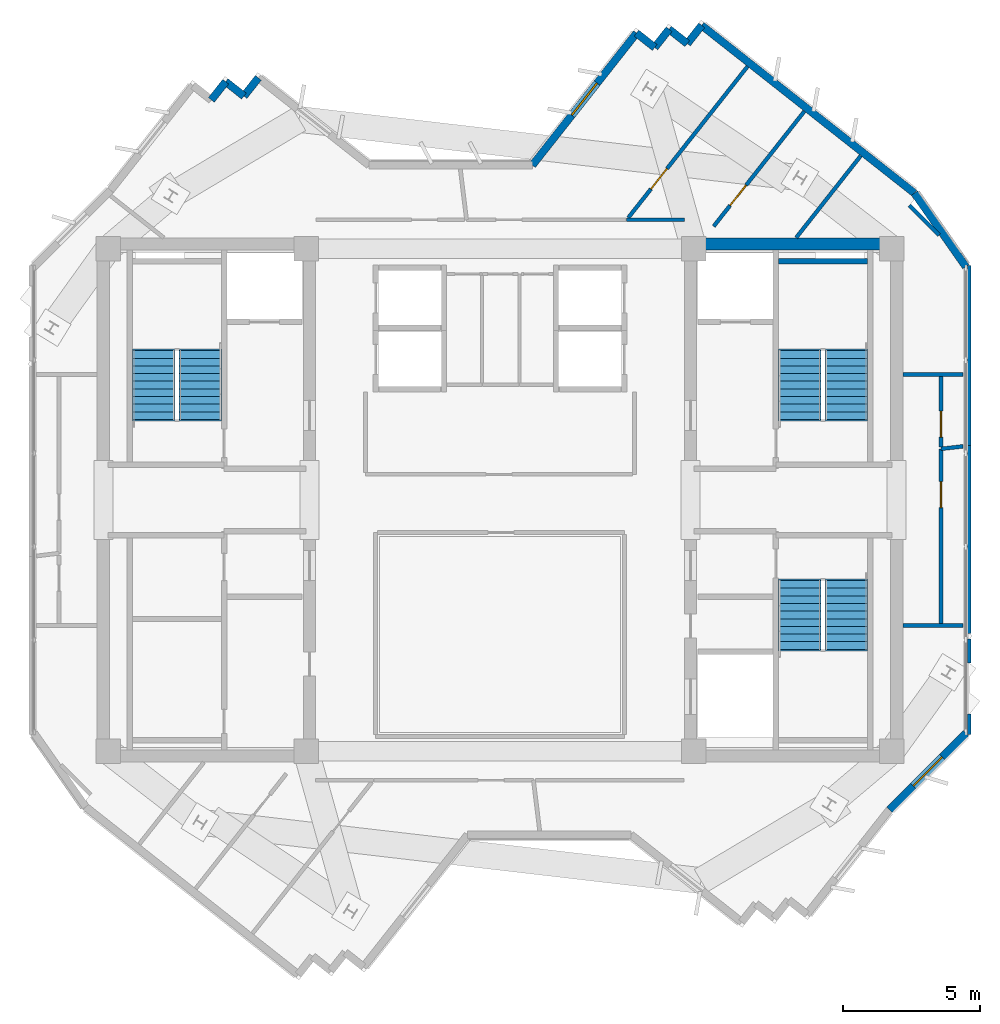
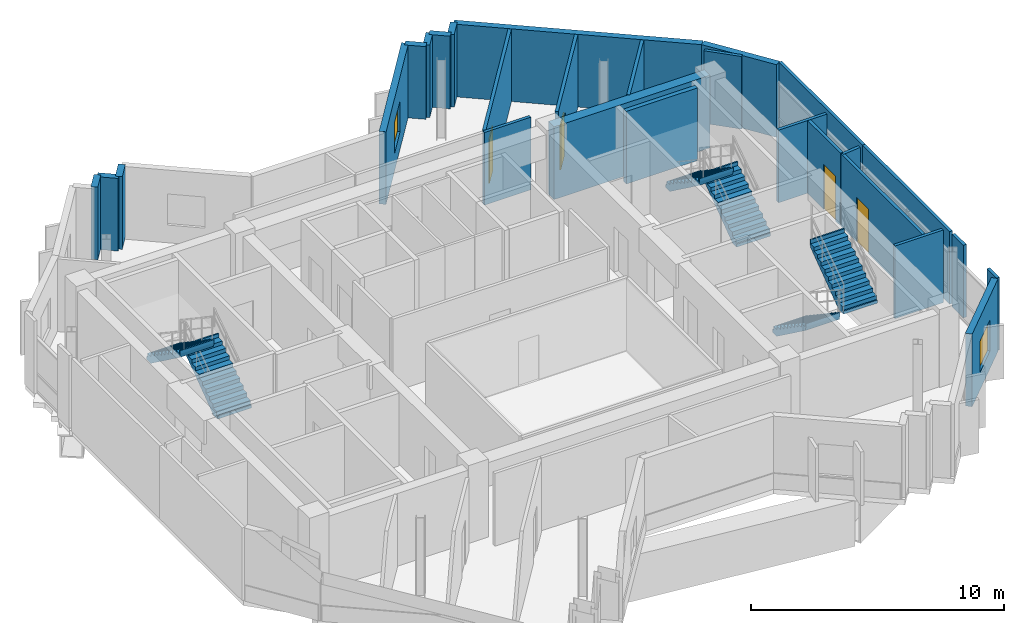
# One storey, part 8 of 10: 27 walls, 6 stair flights, 4 doors, 2 windows, 6 openings, 3 elements without a shape of their own.
"""IFC4 building model written with IfcOpenShell, lengths in metres."""

import ifcopenshell
import ifcopenshell.guid

model = None  # the IFC model being written
_history = None  # IfcOwnerHistory: only IFC2X3 demands one
_inside = {}  # id of a spatial element -> (the spatial element, [elements in it])
_under = {}  # id of a project, library or spatial element -> (it, [spatial elements below it])
_declared = {}  # id of a project -> (the project, [libraries it declares])
_typed = {}  # id of a type object -> (the type object, [elements of that type])
_made_of = {}  # id of a material, layer set ... -> (it, [elements and type objects made of it])


def new_model(schema):
    """Start an empty IFC model of exactly this schema.

    Asked for "IFC4X3", IfcOpenShell would pick the latest addendum, in which some entities
    have other attributes; the version numbers below select the first issue.
    IFC2X3 requires an IfcOwnerHistory on every rooted entity: one is made here for all.
    """
    global model, _history
    if schema == "IFC4X3":
        model = ifcopenshell.file(schema_version=(4, 3, 0, 0))
    else:
        model = ifcopenshell.file(schema=schema)
    _inside.clear()
    _under.clear()
    _declared.clear()
    _typed.clear()
    _made_of.clear()
    _history = None
    if model.schema == "IFC2X3":
        org = make("IfcOrganization", Name="unknown")
        user = make(
            "IfcPersonAndOrganization",
            ThePerson=make("IfcPerson", FamilyName="unknown"),
            TheOrganization=org,
        )
        app = make(
            "IfcApplication",
            ApplicationDeveloper=org,
            Version="unknown",
            ApplicationFullName="unknown",
            ApplicationIdentifier="unknown",
        )
        _history = make(
            "IfcOwnerHistory",
            OwningUser=user,
            OwningApplication=app,
            ChangeAction="ADDED",
            CreationDate=0,
        )
    return model


def make(cls, **values):
    """One entity of the class cls with the attributes given. An attribute that is None is left unset."""
    return model.create_entity(
        cls, **{name: value for name, value in values.items() if value is not None}
    )


def rooted(cls, **values):
    """An entity with a GlobalId (a new one), such as an element, a storey or a relation."""
    return make(cls, GlobalId=ifcopenshell.guid.new(), OwnerHistory=_history, **values)


def si_unit(unit_type, name, prefix=None):
    """IfcSIUnit, for example si_unit("LENGTHUNIT", "METRE", prefix="MILLI")."""
    return make("IfcSIUnit", UnitType=unit_type, Prefix=prefix, Name=name)


def assignment(units):
    """IfcUnitAssignment: the units of a project."""
    return None if units is None else make("IfcUnitAssignment", Units=units)


def point(xyz):
    """IfcCartesianPoint."""
    return None if xyz is None else make("IfcCartesianPoint", Coordinates=xyz)


def direction(xyz):
    """IfcDirection."""
    return None if xyz is None else make("IfcDirection", DirectionRatios=xyz)


def frame(location, z_axis=None, x_axis=None):
    """IfcAxis2Placement3D, a coordinate frame: its origin and axes. An axis left out is left unset."""
    return make(
        "IfcAxis2Placement3D",
        Location=point(location),
        Axis=direction(z_axis),
        RefDirection=direction(x_axis),
    )


def frame_2d(location, x_axis=None):
    """IfcAxis2Placement2D, a coordinate frame in the plane: its origin and x axis."""
    return make(
        "IfcAxis2Placement2D", Location=point(location), RefDirection=direction(x_axis)
    )


def origin():
    """The frame at (0, 0, 0) with its axes left unset."""
    return frame((0.0, 0.0, 0.0))


def place(relative_to, where):
    """IfcLocalPlacement: puts the frame where relative to a parent placement (None: the world)."""
    return make(
        "IfcLocalPlacement", PlacementRelTo=relative_to, RelativePlacement=where
    )


def context(
    kind, dimensions, precision=None, world=None, true_north=None, identifier=None
):
    """IfcGeometricRepresentationContext, for example the 3D "Model" context."""
    return make(
        "IfcGeometricRepresentationContext",
        ContextIdentifier=identifier,
        ContextType=kind,
        CoordinateSpaceDimension=dimensions,
        Precision=precision,
        WorldCoordinateSystem=world,
        TrueNorth=true_north,
    )


def subcontext(parent, identifier, kind, view, scale=None):
    """IfcGeometricRepresentationSubContext, for example "Body" below "Model"."""
    return make(
        "IfcGeometricRepresentationSubContext",
        ContextIdentifier=identifier,
        ContextType=kind,
        ParentContext=parent,
        TargetScale=scale,
        TargetView=view,
    )


def project(units=None, contexts=None):
    """IfcProject with its units and contexts."""
    return rooted(
        "IfcProject",
        Name="project",
        RepresentationContexts=contexts,
        UnitsInContext=assignment(units),
    )


def spatial(cls, under=None, at=None, **own):
    """A site, building, storey or space (cls), placed at a placement, below another one or the project."""
    s = rooted(cls, ObjectPlacement=at, **own)
    if under is not None:
        _under.setdefault(under.id(), (under, []))[1].append(s)
    return s


def polyline(points):
    """IfcPolyline through the points."""
    return make("IfcPolyline", Points=[point(p) for p in points])


def profile(cls, at=None, kind="AREA", **sizes):
    """A parametric profile (cls). Its sizes go by their IFC names, for example OverallWidth=200.0."""
    return make(cls, ProfileType=kind, Position=at, **sizes)


def rectangle(**sizes):
    """IfcRectangleProfileDef."""
    return profile("IfcRectangleProfileDef", **sizes)


def outline(outer, holes=None, kind="AREA"):
    """IfcArbitraryClosedProfileDef: a profile drawn as a closed curve; with holes, ...WithVoids."""
    if holes is None:
        return make("IfcArbitraryClosedProfileDef", ProfileType=kind, OuterCurve=outer)
    return make(
        "IfcArbitraryProfileDefWithVoids",
        ProfileType=kind,
        OuterCurve=outer,
        InnerCurves=holes,
    )


def extrude(swept, where, along, depth):
    """IfcExtrudedAreaSolid: the profile swept, set in the frame where, extruded along a direction by depth."""
    return make(
        "IfcExtrudedAreaSolid",
        SweptArea=swept,
        Position=where,
        ExtrudedDirection=direction(along),
        Depth=depth,
    )


def shape(context_of_items, identifier, shape_type, items):
    """IfcShapeRepresentation: the items that make up one representation, for example the "Body"."""
    return make(
        "IfcShapeRepresentation",
        ContextOfItems=context_of_items,
        RepresentationIdentifier=identifier,
        RepresentationType=shape_type,
        Items=items,
    )


def source(mapping_origin, context_of_items, identifier, shape_type, items):
    """IfcRepresentationMap: a shape defined once, which mapped items show again and again."""
    return make(
        "IfcRepresentationMap",
        MappingOrigin=mapping_origin,
        MappedRepresentation=shape(context_of_items, identifier, shape_type, items),
    )


def transform(
    local_origin,
    x_axis=None,
    y_axis=None,
    z_axis=None,
    scale=None,
    scale2=None,
    scale3=None,
    uniform=True,
):
    """IfcCartesianTransformationOperator3D, or its non-uniform kind. x_axis, y_axis, z_axis: its Axis1, 2, 3."""
    if uniform:
        return make(
            "IfcCartesianTransformationOperator3D",
            Axis1=direction(x_axis),
            Axis2=direction(y_axis),
            LocalOrigin=point(local_origin),
            Scale=scale,
            Axis3=direction(z_axis),
        )
    return make(
        "IfcCartesianTransformationOperator3DnonUniform",
        Axis1=direction(x_axis),
        Axis2=direction(y_axis),
        LocalOrigin=point(local_origin),
        Scale=scale,
        Axis3=direction(z_axis),
        Scale2=scale2,
        Scale3=scale3,
    )


def mapped(mapping_source, mapping_target):
    """IfcMappedItem: shows the shape of a source again, moved by a transform."""
    return make(
        "IfcMappedItem", MappingSource=mapping_source, MappingTarget=mapping_target
    )


def material(Name=None, Category=None):
    """IfcMaterial."""
    return make("IfcMaterial", Name=Name, Category=Category)


def layer(
    of_material, thickness, ventilated=None, Name=None, Category=None, Priority=None
):
    """IfcMaterialLayer: one layer of a wall or slab, of a material (None: an air gap)."""
    return make(
        "IfcMaterialLayer",
        Material=of_material,
        LayerThickness=thickness,
        IsVentilated=ventilated,
        Name=Name,
        Category=Category,
        Priority=Priority,
    )


def layer_set(layers, Name=None):
    """IfcMaterialLayerSet."""
    return make("IfcMaterialLayerSet", MaterialLayers=layers, LayerSetName=Name)


def made_of(thing, what):
    """Note that an element or type object is made of a material, layer set ...; save() writes the relation."""
    if what is not None:
        _made_of.setdefault(what.id(), (what, []))[1].append(thing)
    return thing


def type_object(cls, material=None, **own):
    """A type object (cls), such as IfcWallType, which elements share."""
    return made_of(rooted(cls, **own), material)


def element(
    cls,
    number,
    at=None,
    inside=None,
    cuts=None,
    type_object=None,
    material=None,
    context=None,
    identifier="Body",
    shape_type=None,
    held_by="IfcProductDefinitionShape",
    body=None,
    shapes=None,
    **own,
):
    """One element of the class cls, such as IfcWall. Its Tag is "e" and its number.

    at: its placement. inside: the storey or other place that contains it. cuts: it is an
    opening in that element (IfcRelVoidsElement). A single representation is given by context,
    identifier, shape_type and body (its items); several are given by shapes. held_by: the class
    of the entity that holds the representations. save() writes the other relations.
    """
    e = rooted(cls, Tag="e%d" % number, ObjectPlacement=at, **own)
    if body is not None:
        shapes = [shape(context, identifier, shape_type, body)]
    if shapes is not None:
        e.Representation = make(held_by, Representations=shapes)
    if inside is not None:
        _inside.setdefault(inside.id(), (inside, []))[1].append(e)
    if cuts is not None:
        rooted(
            "IfcRelVoidsElement", RelatingBuildingElement=cuts, RelatedOpeningElement=e
        )
    if type_object is not None:
        _typed.setdefault(type_object.id(), (type_object, []))[1].append(e)
    return made_of(e, material)


def fill(opening, filler):
    """IfcRelFillsElement: the door or window that sits in an opening."""
    return rooted(
        "IfcRelFillsElement",
        RelatingOpeningElement=opening,
        RelatedBuildingElement=filler,
    )


def aggregate(whole, parts):
    """IfcRelAggregates: a whole, such as a stair, and the parts it consists of."""
    return rooted("IfcRelAggregates", RelatingObject=whole, RelatedObjects=parts)


def save(model, path):
    """Write the relations noted so far, then the file.

    IfcRelAggregates (storeys below a building ...), IfcRelContainedInSpatialStructure (elements
    in a storey), IfcRelDefinesByType, IfcRelAssociatesMaterial and IfcRelDeclares: one each for
    every whole, place, type object, material and project.
    """
    for whole, parts in _under.values():
        aggregate(whole, parts)
    for where, things in _inside.values():
        rooted(
            "IfcRelContainedInSpatialStructure",
            RelatedElements=things,
            RelatingStructure=where,
        )
    for kind, things in _typed.values():
        rooted("IfcRelDefinesByType", RelatedObjects=things, RelatingType=kind)
    for what, things in _made_of.values():
        rooted("IfcRelAssociatesMaterial", RelatedObjects=things, RelatingMaterial=what)
    for by, libraries in _declared.values():
        rooted("IfcRelDeclares", RelatingContext=by, RelatedDefinitions=libraries)
    model.write(path)


model = new_model("IFC4")

# Units and contexts
model_context = context("Model", 3, precision=1e-05, world=origin(), true_north=direction((0.0, 1.0)))
body_context = subcontext(model_context, "Body", "Model", "MODEL_VIEW")
ifc_project = project(units=[si_unit("LENGTHUNIT", "METRE"), si_unit("AREAUNIT", "SQUARE_METRE"), si_unit("VOLUMEUNIT", "CUBIC_METRE"), si_unit("PLANEANGLEUNIT", "RADIAN"), si_unit("MASSUNIT", "GRAM", prefix="KILO")], contexts=[model_context])

# Site, building, storey
site_placement = place(None, origin())
site = spatial("IfcSite", under=ifc_project, at=site_placement, CompositionType="ELEMENT")
building_placement = place(site_placement, origin())
building = spatial("IfcBuilding", under=site, at=building_placement, Name="Zahravan Cultural Tower", CompositionType="ELEMENT")
storey_placement = place(building_placement, frame((0.0, 0.0, 319.800048828125)))
storey = spatial("IfcBuildingStorey", under=building, at=storey_placement, Name="L77", CompositionType="ELEMENT", Elevation=319.800048828125)

# Wall, opening, window
ifc_material_1 = material(Name="Precast concrete C40/50", Category="concrete")
ifc_layer_1 = layer(ifc_material_1, 0.280029296875)
ifc_layer_set_1 = layer_set([ifc_layer_1], Name="Precast concrete C40/50")
wall_type_1 = type_object("IfcWallType", Name="EW-TC-280", PredefinedType="SOLIDWALL", material=ifc_layer_set_1)
wall_1_placement = place(storey_placement, frame((37.184326171875, 39.260009765625, 0.0), z_axis=(0.0, 0.0, 1.0), x_axis=(0.619100474058, 0.78531178714, 0.0)))
wall_1 = element("IfcWall", 1, at=wall_1_placement, inside=storey, type_object=wall_type_1, Name="L77 Exterior Masonry Frame Wall 09", PredefinedType="SOLIDWALL", context=body_context, shape_type="SweptSolid", body=[
    extrude(rectangle(XDim=6.158935546875, YDim=0.280029296875, at=frame_2d((3.07958984375, 0.0))), origin(), (0.0, 0.0, 1.0), 3.5),
])
opening_1_placement = place(wall_1_placement, frame((2.3291015625, 0.0, 0.85009765625)))
opening_1 = element("IfcOpeningElement", 2, at=opening_1_placement, cuts=wall_1, Name="Opening WN-03", PredefinedType="OPENING", context=body_context, shape_type="SweptSolid", body=[
    extrude(rectangle(XDim=1.5, YDim=1.5, at=frame_2d((0.75, 0.75))), frame((0.0, 0.14990234375, 0.0), z_axis=(0.0, -1.0, 0.0), x_axis=(1.0, 0.0, 0.0)), (0.0, 0.0, 1.0), 0.300048828125),
])
ifc_material_2 = material(Name="Low-E solar-control double glazing", Category="glass")
window_type = type_object("IfcWindowType", Name="WN-REC-1500X1500", PartitioningType="SINGLE_PANEL", PredefinedType="WINDOW", material=ifc_material_2)
shared_shape_1 = source(origin(), body_context, "Body", "SweptSolid", [
    extrude(rectangle(XDim=1.5, YDim=1.5, at=frame_2d((0.75, 0.75))), frame((0.0, 0.030029296875, 0.0), z_axis=(0.0, -1.0, 0.0), x_axis=(1.0, 0.0, 0.0)), (0.0, 0.0, 1.0), 0.06005859375),
])
window_1_placement = place(opening_1_placement, origin())
window_1 = element("IfcWindow", 3, at=window_1_placement, inside=storey, type_object=window_type, Name="L77 Recessed Solar Window 04", OverallHeight=1.5, OverallWidth=1.5, PartitioningType="SINGLE_PANEL", PredefinedType="WINDOW", context=body_context, shape_type="MappedRepresentation", body=[
    mapped(shared_shape_1, transform((0.0, 0.0, 0.0), x_axis=(1.0, 0.0, 0.0), y_axis=(0.0, 1.0, 0.0), z_axis=(0.0, 0.0, 1.0), scale=1.0)),
])
fill(opening_1, window_1)

wall_2_placement = place(storey_placement, frame((53.06005859375, 18.4580078125, 0.0), z_axis=(0.0, 0.0, 1.0), x_axis=(-0.707106781187, -0.707106781187, 0.0)))
wall_2 = element("IfcWall", 4, at=wall_2_placement, inside=storey, type_object=wall_type_1, Name="L77 Exterior Masonry Frame Wall 16", PredefinedType="SOLIDWALL", context=body_context, shape_type="SweptSolid", body=[
    extrude(rectangle(XDim=3.96337890625, YDim=0.280029296875, at=frame_2d((1.981689453125, 0.0))), origin(), (0.0, 0.0, 1.0), 3.5),
])
opening_2_placement = place(wall_2_placement, frame((1.23193359375, 0.0, 0.85009765625)))
opening_2 = element("IfcOpeningElement", 5, at=opening_2_placement, cuts=wall_2, Name="Opening WN-03", PredefinedType="OPENING", context=body_context, shape_type="SweptSolid", body=[
    extrude(rectangle(XDim=1.5, YDim=1.5, at=frame_2d((0.75, 0.75))), frame((0.0, 0.14990234375, 0.0), z_axis=(0.0, -1.0, 0.0), x_axis=(1.0, 0.0, 0.0)), (0.0, 0.0, 1.0), 0.300048828125),
])
window_2_placement = place(opening_2_placement, origin())
window_2 = element("IfcWindow", 6, at=window_2_placement, inside=storey, type_object=window_type, Name="L77 Recessed Solar Window 05", OverallHeight=1.5, OverallWidth=1.5, PartitioningType="SINGLE_PANEL", PredefinedType="WINDOW", context=body_context, shape_type="MappedRepresentation", body=[
    mapped(shared_shape_1, transform((0.0, 0.0, 0.0), x_axis=(1.0, 0.0, 0.0), y_axis=(0.0, 1.0, 0.0), z_axis=(0.0, 0.0, 1.0), scale=1.0)),
])
fill(opening_2, window_2)

# Wall, opening, door
ifc_material_3 = material(Name="Gypsum plasterboard partition")
ifc_layer_2 = layer(ifc_material_3, 0.139892578125)
ifc_layer_set_2 = layer_set([ifc_layer_2], Name="Gypsum plasterboard partition")
wall_type_2 = type_object("IfcWallType", Name="W-PART-140", PredefinedType="PARTITIONING", material=ifc_layer_set_2)
wall_3_placement = place(storey_placement, frame((43.82275390625, 37.02001953125, 0.0), z_axis=(0.0, 0.0, 1.0), x_axis=(0.619105408422, 0.785307897109, 0.0)))
wall_3 = element("IfcWall", 7, at=wall_3_placement, inside=storey, type_object=wall_type_2, Name="L77 Interior Wall 050", PredefinedType="PARTITIONING", context=body_context, shape_type="SweptSolid", body=[
    extrude(rectangle(XDim=5.363037109375, YDim=0.139892578125, at=frame_2d((2.681640625, 0.0))), origin(), (0.0, 0.0, 1.0), 3.5),
])
opening_3_placement = place(wall_3_placement, frame((0.970947265625, 0.0, 0.0)))
opening_3 = element("IfcOpeningElement", 8, at=opening_3_placement, cuts=wall_3, Name="Opening D-L77-26", PredefinedType="OPENING", context=body_context, shape_type="SweptSolid", body=[
    extrude(rectangle(XDim=0.949951171875, YDim=2.14990234375, at=frame_2d((0.47509765625, 1.074951171875))), frame((0.0, 0.079833984375, 0.0), z_axis=(0.0, -1.0, 0.0), x_axis=(1.0, 0.0, 0.0)), (0.0, 0.0, 1.0), 0.159912109375),
])
ifc_material_4 = material(Name="Anodised bronze-aluminium mullion", Category="aluminium")
door_type = type_object("IfcDoorType", Name="DR-ROOM-950", OperationType="NOTDEFINED", PredefinedType="DOOR", material=ifc_material_4)
shared_shape_2 = source(origin(), body_context, "Body", "SweptSolid", [
    extrude(rectangle(XDim=0.949951171875, YDim=2.14990234375, at=frame_2d((0.47509765625, 1.074951171875))), frame((0.0, 0.02490234375, 0.0), z_axis=(0.0, -1.0, 0.0), x_axis=(1.0, 0.0, 0.0)), (0.0, 0.0, 1.0), 0.050048828125),
])
door_1_placement = place(opening_3_placement, origin())
door_1 = element("IfcDoor", 9, at=door_1_placement, inside=storey, type_object=door_type, Name="L77 Door D-L77-26", OperationType="SINGLE_SWING_RIGHT", OverallHeight=2.14990234375, OverallWidth=0.949951171875, PredefinedType="DOOR", context=body_context, shape_type="MappedRepresentation", body=[
    mapped(shared_shape_2, transform((0.0, 0.0, 0.0), x_axis=(1.0, 0.0, 0.0), y_axis=(0.0, 1.0, 0.0), z_axis=(0.0, 0.0, 1.0), scale=1.0)),
])
fill(opening_3, door_1)

wall_4_placement = place(storey_placement, frame((40.69677734375, 37.335205078125, 0.0), z_axis=(0.0, 0.0, 1.0), x_axis=(0.619105259882, 0.785308014213, 0.0)))
wall_4 = element("IfcWall", 10, at=wall_4_placement, inside=storey, type_object=wall_type_2, Name="L77 Interior Wall 054", PredefinedType="PARTITIONING", context=body_context, shape_type="SweptSolid", body=[
    extrude(rectangle(XDim=7.05078125, YDim=0.139892578125, at=frame_2d((3.525390625, 0.0))), origin(), (0.0, 0.0, 1.0), 3.5),
])
opening_4_placement = place(wall_4_placement, frame((1.34228515625, 0.0, 0.0)))
opening_4 = element("IfcOpeningElement", 11, at=opening_4_placement, cuts=wall_4, Name="Opening D-L77-24", PredefinedType="OPENING", context=body_context, shape_type="SweptSolid", body=[
    extrude(rectangle(XDim=0.949951171875, YDim=2.14990234375, at=frame_2d((0.47509765625, 1.074951171875))), frame((0.0, 0.079833984375, 0.0), z_axis=(0.0, -1.0, 0.0), x_axis=(1.0, 0.0, 0.0)), (0.0, 0.0, 1.0), 0.159912109375),
])
door_2_placement = place(opening_4_placement, origin())
door_2 = element("IfcDoor", 12, at=door_2_placement, inside=storey, type_object=door_type, Name="L77 Door D-L77-24", OperationType="SINGLE_SWING_RIGHT", OverallHeight=2.14990234375, OverallWidth=0.949951171875, PredefinedType="DOOR", context=body_context, shape_type="MappedRepresentation", body=[
    mapped(shared_shape_2, transform((0.0, 0.0, 0.0), x_axis=(1.0, 0.0, 0.0), y_axis=(0.0, 1.0, 0.0), z_axis=(0.0, 0.0, 1.0), scale=1.0)),
])
fill(opening_4, door_2)

wall_5_placement = place(storey_placement, frame((52.14990234375, 28.948486328125, 0.0), z_axis=(0.0, 0.0, 1.0), x_axis=(-0.000379182834, 0.99999992811, 0.0)))
wall_5 = element("IfcWall", 13, at=wall_5_placement, inside=storey, type_object=wall_type_2, Name="L77 Interior Wall 072", PredefinedType="PARTITIONING", context=body_context, shape_type="SweptSolid", body=[
    extrude(rectangle(XDim=2.575439453125, YDim=0.139892578125, at=frame_2d((1.28759765625, 0.0))), origin(), (0.0, 0.0, 1.0), 3.5),
])
opening_5_placement = place(wall_5_placement, frame((0.357666015625, 0.0, 0.0)))
opening_5 = element("IfcOpeningElement", 14, at=opening_5_placement, cuts=wall_5, Name="Opening D-L77-17", PredefinedType="OPENING", context=body_context, shape_type="SweptSolid", body=[
    extrude(rectangle(XDim=0.949951171875, YDim=2.14990234375, at=frame_2d((0.47509765625, 1.074951171875))), frame((0.0, 0.079833984375, 0.0), z_axis=(0.0, -1.0, 0.0), x_axis=(1.0, 0.0, 0.0)), (0.0, 0.0, 1.0), 0.159912109375),
])
door_3_placement = place(opening_5_placement, origin())
door_3 = element("IfcDoor", 15, at=door_3_placement, inside=storey, type_object=door_type, Name="L77 Door D-L77-17", OperationType="SINGLE_SWING_LEFT", OverallHeight=2.14990234375, OverallWidth=0.949951171875, PredefinedType="DOOR", context=body_context, shape_type="MappedRepresentation", body=[
    mapped(shared_shape_2, transform((0.0, 0.0, 0.0), x_axis=(1.0, 0.0, 0.0), y_axis=(0.0, 1.0, 0.0), z_axis=(0.0, 0.0, 1.0), scale=1.0)),
])
fill(opening_5, door_3)

wall_6_placement = place(storey_placement, frame((52.1474609375, 22.477294921875, 0.0), z_axis=(0.0, 0.0, 1.0), x_axis=(0.0003817085, 0.999999927149, 0.0)))
wall_6 = element("IfcWall", 16, at=wall_6_placement, inside=storey, type_object=wall_type_2, Name="L77 Interior Wall 083", PredefinedType="PARTITIONING", context=body_context, shape_type="SweptSolid", body=[
    extrude(rectangle(XDim=6.39599609375, YDim=0.139892578125, at=frame_2d((3.197998046875, 0.0))), origin(), (0.0, 0.0, 1.0), 3.5),
])
opening_6_placement = place(wall_6_placement, frame((4.247802734375, 0.0, 0.0)))
opening_6 = element("IfcOpeningElement", 17, at=opening_6_placement, cuts=wall_6, Name="Opening D-L77-23", PredefinedType="OPENING", context=body_context, shape_type="SweptSolid", body=[
    extrude(rectangle(XDim=0.949951171875, YDim=2.14990234375, at=frame_2d((0.47509765625, 1.074951171875))), frame((0.0, 0.079833984375, 0.0), z_axis=(0.0, -1.0, 0.0), x_axis=(1.0, 0.0, 0.0)), (0.0, 0.0, 1.0), 0.159912109375),
])
door_4_placement = place(opening_6_placement, origin())
door_4 = element("IfcDoor", 18, at=door_4_placement, inside=storey, type_object=door_type, Name="L77 Door D-L77-23", OperationType="SINGLE_SWING_LEFT", OverallHeight=2.14990234375, OverallWidth=0.949951171875, PredefinedType="DOOR", context=body_context, shape_type="MappedRepresentation", body=[
    mapped(shared_shape_2, transform((0.0, 0.0, 0.0), x_axis=(1.0, 0.0, 0.0), y_axis=(0.0, 1.0, 0.0), z_axis=(0.0, 0.0, 1.0), scale=1.0)),
])
fill(opening_6, door_4)

# Walls
ifc_material_5 = material(Name="Concrete C50/60", Category="concrete")
ifc_layer_3 = layer(ifc_material_5, 0.449951171875)
ifc_layer_set_3 = layer_set([ifc_layer_3], Name="Concrete C50/60")
wall_type_3 = type_object("IfcWallType", Name="CW-SHEAR-450-C50", PredefinedType="SHEAR", material=ifc_layer_set_3)
shared_shape_3 = source(origin(), body_context, "Body", "SweptSolid", [
    extrude(rectangle(XDim=7.10009765625, YDim=0.449951171875, at=frame_2d((3.550048828125, 0.0))), origin(), (0.0, 0.0, 1.0), 3.5),
])
wall_7_placement = place(storey_placement, frame((43.199951171875, 36.375, 0.0), z_axis=(0.0, 0.0, 1.0), x_axis=(1.0, 0.0, 0.0)))
element("IfcWall", 19, at=wall_7_placement, inside=storey, type_object=wall_type_3, Name="L77 Core Shear Wall CW-E-N-L77", PredefinedType="SHEAR", context=body_context, shape_type="MappedRepresentation", body=[
    mapped(shared_shape_3, transform((0.0, 0.0, 0.0), x_axis=(1.0, 0.0, 0.0), y_axis=(0.0, 1.0, 0.0), z_axis=(0.0, 0.0, 1.0), scale=1.0)),
])
shared_shape_4 = source(origin(), body_context, "Body", "SweptSolid", [
    extrude(rectangle(XDim=0.85009765625, YDim=0.280029296875, at=frame_2d((0.425048828125, 0.0))), origin(), (0.0, 0.0, 1.0), 3.5),
])
for number, where, z_axis, x_axis, name in (
    (20, (25.4296875, 41.64892578125, 0.0), (0.0, 0.0, 1.0), (0.619215838066, 0.785220826193, 0.0), "L77 Exterior Masonry Frame Wall 04"),
    (21, (25.9560546875, 42.31640625, 0.0), (0.0, 0.0, 1.0), (0.785220826193, -0.619215838066, 0.0), "L77 Exterior Masonry Frame Wall 05"),
    (22, (40.997314453125, 44.0966796875, 0.0), (0.0, 0.0, 1.0), (0.785220826193, -0.619215838066, 0.0), "L77 Exterior Masonry Frame Wall 10"),
    (23, (42.8583984375, 43.711669921875, 0.0), (0.0, 0.0, 1.0), (0.619215838066, 0.785220826193, 0.0), "L77 Exterior Masonry Frame Wall 13"),
):
    element("IfcWall", number, at=place(storey_placement, frame(where, z_axis=z_axis, x_axis=x_axis)), inside=storey, type_object=wall_type_1, Name=name, PredefinedType="SOLIDWALL", context=body_context, shape_type="MappedRepresentation", body=[
        mapped(shared_shape_4, transform((0.0, 0.0, 0.0), x_axis=(1.0, 0.0, 0.0), y_axis=(0.0, 1.0, 0.0), z_axis=(0.0, 0.0, 1.0), scale=1.0)),
    ])
shared_shape_5 = source(origin(), body_context, "Body", "SweptSolid", [
    extrude(rectangle(XDim=0.849853515625, YDim=0.280029296875, at=frame_2d((0.4248046875, 0.0))), origin(), (0.0, 0.0, 1.0), 3.5),
])
for number, where, z_axis, x_axis, name in (
    (24, (41.664794921875, 43.5703125, 0.0), (0.0, 0.0, 1.0), (0.619038707801, 0.785360476625, 0.0), "L77 Exterior Masonry Frame Wall 11"),
    (25, (42.19091796875, 44.23779296875, 0.0), (0.0, 0.0, 1.0), (0.785360476625, -0.619038707801, 0.0), "L77 Exterior Masonry Frame Wall 12"),
):
    element("IfcWall", number, at=place(storey_placement, frame(where, z_axis=z_axis, x_axis=x_axis)), inside=storey, type_object=wall_type_1, Name=name, PredefinedType="SOLIDWALL", context=body_context, shape_type="MappedRepresentation", body=[
        mapped(shared_shape_5, transform((0.0, 0.0, 0.0), x_axis=(1.0, 0.0, 0.0), y_axis=(0.0, 1.0, 0.0), z_axis=(0.0, 0.0, 1.0), scale=1.0)),
    ])
shared_shape_6 = source(origin(), body_context, "Body", "SweptSolid", [
    extrude(rectangle(XDim=9.919921875, YDim=0.280029296875, at=frame_2d((4.9599609375, 0.0))), origin(), (0.0, 0.0, 1.0), 3.5),
])
wall_8_placement = place(storey_placement, frame((43.384765625, 44.379150390625, 0.0), z_axis=(0.0, 0.0, 1.0), x_axis=(0.785317257435, -0.619093535077, 0.0)))
element("IfcWall", 26, at=wall_8_placement, inside=storey, type_object=wall_type_1, Name="L77 Exterior Masonry Frame Wall 14", PredefinedType="SOLIDWALL", context=body_context, shape_type="MappedRepresentation", body=[
    mapped(shared_shape_6, transform((0.0, 0.0, 0.0), x_axis=(1.0, 0.0, 0.0), y_axis=(0.0, 1.0, 0.0), z_axis=(0.0, 0.0, 1.0), scale=1.0)),
])
shared_shape_7 = source(origin(), body_context, "Body", "SweptSolid", [
    extrude(rectangle(XDim=0.850341796875, YDim=0.280029296875, at=frame_2d((0.42529296875, 0.0))), origin(), (0.0, 0.0, 1.0), 3.5),
])
wall_9_placement = place(storey_placement, frame((26.62353515625, 41.7900390625, 0.0), z_axis=(0.0, 0.0, 1.0), x_axis=(0.619076214196, 0.785330911793, 0.0)))
element("IfcWall", 27, at=wall_9_placement, inside=storey, type_object=wall_type_1, Name="L77 Exterior Masonry Frame Wall 06", PredefinedType="SOLIDWALL", context=body_context, shape_type="MappedRepresentation", body=[
    mapped(shared_shape_7, transform((0.0, 0.0, 0.0), x_axis=(1.0, 0.0, 0.0), y_axis=(0.0, 1.0, 0.0), z_axis=(0.0, 0.0, 1.0), scale=1.0)),
])
shared_shape_8 = source(origin(), body_context, "Body", "SweptSolid", [
    extrude(rectangle(XDim=3.28955078125, YDim=0.280029296875, at=frame_2d((1.644775390625, 0.0))), origin(), (0.0, 0.0, 1.0), 3.5),
])
wall_10_placement = place(storey_placement, frame((51.175048828125, 38.23779296875, 0.0), z_axis=(0.0, 0.0, 1.0), x_axis=(0.573043854491, -0.819524704222, 0.0)))
element("IfcWall", 28, at=wall_10_placement, inside=storey, type_object=wall_type_1, Name="L77 Exterior Masonry Frame Wall 15", PredefinedType="SOLIDWALL", context=body_context, shape_type="MappedRepresentation", body=[
    mapped(shared_shape_8, transform((0.0, 0.0, 0.0), x_axis=(1.0, 0.0, 0.0), y_axis=(0.0, 1.0, 0.0), z_axis=(0.0, 0.0, 1.0), scale=1.0)),
])
ifc_material_6 = material(Name="Concrete C45/55", Category="concrete")
ifc_layer_4 = layer(ifc_material_6, 0.199951171875)
ifc_layer_set_4 = layer_set([ifc_layer_4], Name="Concrete C45/55")
wall_type_4 = type_object("IfcWallType", Name="W-SHAFT-200", PredefinedType="SOLIDWALL", material=ifc_layer_set_4)
shared_shape_9 = source(origin(), body_context, "Body", "SweptSolid", [
    extrude(rectangle(XDim=3.25, YDim=0.199951171875, at=frame_2d((1.625, 0.0))), origin(), (0.0, 0.0, 1.0), 3.5),
])
wall_11_placement = place(storey_placement, frame((46.199951171875, 35.75, 0.0), z_axis=(0.0, 0.0, 1.0), x_axis=(1.0, 0.0, 0.0)))
element("IfcWall", 29, at=wall_11_placement, inside=storey, type_object=wall_type_4, Name="L77 Interior Wall 018", PredefinedType="SOLIDWALL", context=body_context, shape_type="MappedRepresentation", body=[
    mapped(shared_shape_9, transform((0.0, 0.0, 0.0), x_axis=(1.0, 0.0, 0.0), y_axis=(0.0, 1.0, 0.0), z_axis=(0.0, 0.0, 1.0), scale=1.0)),
])
shared_shape_10 = source(origin(), body_context, "Body", "SweptSolid", [
    extrude(rectangle(XDim=2.205078125, YDim=0.139892578125, at=frame_2d((1.1025390625, 0.0))), origin(), (0.0, 0.0, 1.0), 3.5),
])
for number, where, z_axis, x_axis, name in (
    (30, (52.9599609375, 31.598388671875, 0.0), (0.0, 0.0, 1.0), (-0.99999969967, 0.000775021911, 0.0), "L77 Interior Wall 068"),
    (31, (50.7548828125, 22.400146484375, 0.0), (0.0, 0.0, 1.0), (0.999998620938, 0.001660759446, 0.0), "L77 Interior Wall 082"),
):
    element("IfcWall", number, at=place(storey_placement, frame(where, z_axis=z_axis, x_axis=x_axis)), inside=storey, type_object=wall_type_2, Name=name, PredefinedType="PARTITIONING", context=body_context, shape_type="MappedRepresentation", body=[
        mapped(shared_shape_10, transform((0.0, 0.0, 0.0), x_axis=(1.0, 0.0, 0.0), y_axis=(0.0, 1.0, 0.0), z_axis=(0.0, 0.0, 1.0), scale=1.0)),
    ])
shared_shape_11 = source(origin(), body_context, "Body", "SweptSolid", [
    extrude(rectangle(XDim=3.818359375, YDim=0.139892578125, at=frame_2d((1.9091796875, 0.0))), origin(), (0.0, 0.0, 1.0), 3.5),
])
wall_12_placement = place(storey_placement, frame((49.20849609375, 39.603515625, 0.0), z_axis=(0.0, 0.0, 1.0), x_axis=(-0.619119655452, -0.78529666511, 0.0)))
element("IfcWall", 32, at=wall_12_placement, inside=storey, type_object=wall_type_2, Name="L77 Interior Wall 049", PredefinedType="PARTITIONING", context=body_context, shape_type="MappedRepresentation", body=[
    mapped(shared_shape_11, transform((0.0, 0.0, 0.0), x_axis=(1.0, 0.0, 0.0), y_axis=(0.0, 1.0, 0.0), z_axis=(0.0, 0.0, 1.0), scale=1.0)),
])
shared_shape_12 = source(origin(), body_context, "Body", "SweptSolid", [
    extrude(rectangle(XDim=2.10888671875, YDim=0.139892578125, at=frame_2d((1.054443359375, 0.0))), origin(), (0.0, 0.0, 1.0), 3.5),
])
wall_13_placement = place(storey_placement, frame((42.74658203125, 37.2587890625, 0.0), z_axis=(0.0, 0.0, 1.0), x_axis=(-0.999999832474, 0.000578837597, 0.0)))
element("IfcWall", 33, at=wall_13_placement, inside=storey, type_object=wall_type_2, Name="L77 Interior Wall 053", PredefinedType="PARTITIONING", context=body_context, shape_type="MappedRepresentation", body=[
    mapped(shared_shape_12, transform((0.0, 0.0, 0.0), x_axis=(1.0, 0.0, 0.0), y_axis=(0.0, 1.0, 0.0), z_axis=(0.0, 0.0, 1.0), scale=1.0)),
])
shared_shape_13 = source(origin(), body_context, "Body", "SweptSolid", [
    extrude(rectangle(XDim=0.882080078125, YDim=0.139892578125, at=frame_2d((0.44091796875, 0.0))), origin(), (0.0, 0.0, 1.0), 3.5),
])
wall_14_placement = place(storey_placement, frame((53.180419921875, 21.9052734375, 0.0), z_axis=(0.0, 0.0, 1.0), x_axis=(-0.000553556516, -0.999999846788, 0.0)))
element("IfcWall", 34, at=wall_14_placement, inside=storey, type_object=wall_type_2, Name="L77 Interior Wall 085", PredefinedType="PARTITIONING", context=body_context, shape_type="MappedRepresentation", body=[
    mapped(shared_shape_13, transform((0.0, 0.0, 0.0), x_axis=(1.0, 0.0, 0.0), y_axis=(0.0, 1.0, 0.0), z_axis=(0.0, 0.0, 1.0), scale=1.0)),
])
shared_shape_14 = source(origin(), body_context, "Body", "SweptSolid", [
    extrude(rectangle(XDim=0.76171875, YDim=0.139892578125, at=frame_2d((0.380859375, 0.0))), origin(), (0.0, 0.0, 1.0), 3.5),
])
wall_15_placement = place(storey_placement, frame((53.18310546875, 19.169921875, 0.0), z_axis=(0.0, 0.0, 1.0), x_axis=(-0.004166630498, -0.999991319557, 0.0)))
element("IfcWall", 35, at=wall_15_placement, inside=storey, type_object=wall_type_2, Name="L77 Interior Wall 086", PredefinedType="PARTITIONING", context=body_context, shape_type="MappedRepresentation", body=[
    mapped(shared_shape_14, transform((0.0, 0.0, 0.0), x_axis=(1.0, 0.0, 0.0), y_axis=(0.0, 1.0, 0.0), z_axis=(0.0, 0.0, 1.0), scale=1.0)),
])
shared_shape_15 = source(origin(), body_context, "Body", "SweptSolid", [
    extrude(rectangle(XDim=1.538330078125, YDim=0.139892578125, at=frame_2d((0.76904296875, 0.0))), origin(), (0.0, 0.0, 1.0), 3.5),
])
wall_16_placement = place(storey_placement, frame((50.9912109375, 37.78271484375, 0.0), z_axis=(0.0, 0.0, 1.0), x_axis=(0.706709909315, -0.707503430434, 0.0)))
element("IfcWall", 36, at=wall_16_placement, inside=storey, type_object=wall_type_2, Name="L77 Interior Wall 069", PredefinedType="PARTITIONING", context=body_context, shape_type="MappedRepresentation", body=[
    mapped(shared_shape_15, transform((0.0, 0.0, 0.0), x_axis=(1.0, 0.0, 0.0), y_axis=(0.0, 1.0, 0.0), z_axis=(0.0, 0.0, 1.0), scale=1.0)),
])
shared_shape_16 = source(origin(), body_context, "Body", "SweptSolid", [
    extrude(rectangle(XDim=6.601806640625, YDim=0.139892578125, at=frame_2d((3.30078125, 0.0))), origin(), (0.0, 0.0, 1.0), 3.5),
])
wall_17_placement = place(storey_placement, frame((53.179931640625, 35.591796875, 0.0), z_axis=(0.0, 0.0, 1.0), x_axis=(0.0, -1.0, 0.0)))
element("IfcWall", 37, at=wall_17_placement, inside=storey, type_object=wall_type_2, Name="L77 Interior Wall 070", PredefinedType="PARTITIONING", context=body_context, shape_type="MappedRepresentation", body=[
    mapped(shared_shape_16, transform((0.0, 0.0, 0.0), x_axis=(1.0, 0.0, 0.0), y_axis=(0.0, 1.0, 0.0), z_axis=(0.0, 0.0, 1.0), scale=1.0)),
])
shared_shape_17 = source(origin(), body_context, "Body", "SweptSolid", [
    extrude(rectangle(XDim=0.810302734375, YDim=0.139892578125, at=frame_2d((0.4052734375, 0.0))), origin(), (0.0, 0.0, 1.0), 3.5),
])
wall_18_placement = place(storey_placement, frame((52.955078125, 28.964599609375, 0.0), z_axis=(0.0, 0.0, 1.0), x_axis=(-0.99359757088, -0.112977285955, 0.0)))
element("IfcWall", 38, at=wall_18_placement, inside=storey, type_object=wall_type_2, Name="L77 Interior Wall 071", PredefinedType="PARTITIONING", context=body_context, shape_type="MappedRepresentation", body=[
    mapped(shared_shape_17, transform((0.0, 0.0, 0.0), x_axis=(1.0, 0.0, 0.0), y_axis=(0.0, 1.0, 0.0), z_axis=(0.0, 0.0, 1.0), scale=1.0)),
])
shared_shape_18 = source(origin(), body_context, "Body", "SweptSolid", [
    extrude(rectangle(XDim=6.88134765625, YDim=0.139892578125, at=frame_2d((3.440673828125, 0.0))), origin(), (0.0, 0.0, 1.0), 3.5),
])
wall_19_placement = place(storey_placement, frame((53.179931640625, 28.989990234375, 0.0), z_axis=(0.0, 0.0, 1.0), x_axis=(0.0, -1.0, 0.0)))
element("IfcWall", 39, at=wall_19_placement, inside=storey, type_object=wall_type_2, Name="L77 Interior Wall 084", PredefinedType="PARTITIONING", context=body_context, shape_type="MappedRepresentation", body=[
    mapped(shared_shape_18, transform((0.0, 0.0, 0.0), x_axis=(1.0, 0.0, 0.0), y_axis=(0.0, 1.0, 0.0), z_axis=(0.0, 0.0, 1.0), scale=1.0)),
])

# Stair, stair flights
stair_type = type_object("IfcStairType", Name="STR-DL-1550-375", PredefinedType="HALF_TURN_STAIR", material=ifc_material_6)
stair_1_placement = place(storey_placement, origin())
stair_1 = element("IfcStair", 40, at=stair_1_placement, inside=storey, type_object=stair_type, Name="L77 West Core North Exit Stair ST-W1", PredefinedType="HALF_TURN_STAIR")
stair_flight_type = type_object("IfcStairFlightType", Name="FLG-DL-1550-375", PredefinedType="STRAIGHT", material=ifc_material_6)
stair_flight_1_placement = place(storey_placement, frame((25.02490234375, 29.949951171875, 0.0), z_axis=(0.0, 0.0, 1.0), x_axis=(0.0, 1.0, 0.0)))
stair_flight_1 = element("IfcStairFlight", 41, at=stair_flight_1_placement, type_object=stair_flight_type, Name="ST-W1 flight 1", NumberOfRisers=10, NumberOfTreads=9, PredefinedType="STRAIGHT", RiserHeight=0.1875, TreadLength=0.28, context=body_context, shape_type="SweptSolid", body=[
    extrude(outline(polyline([(-0.06494140625, -0.139892578125), (-0.06494140625, 0.0), (0.0, 0.0), (0.0, 0.1875), (0.280029296875, 0.1875), (0.280029296875, 0.375), (0.56005859375, 0.375), (0.56005859375, 0.5625), (0.840087890625, 0.5625), (0.840087890625, 0.75), (1.1201171875, 0.75), (1.1201171875, 0.9375), (1.39990234375, 0.9375), (1.39990234375, 1.125), (1.679931640625, 1.125), (1.679931640625, 1.3125), (1.9599609375, 1.3125), (1.9599609375, 1.5), (2.239990234375, 1.5), (2.239990234375, 1.6875), (2.52001953125, 1.6875), (2.52001953125, 1.875), (2.5849609375, 1.875), (2.5849609375, 1.72509765625), (2.52001953125, 1.507080078125), (0.26953125, -0.139892578125), (-0.06494140625, -0.139892578125)])), frame((0.0, 0.77490234375, 0.0), z_axis=(0.0, -1.0, 0.0), x_axis=(1.0, 0.0, 0.0)), (0.0, 0.0, 1.0), 1.550048828125),
])
stair_flight_2_placement = place(storey_placement, frame((23.324951171875, 32.469970703125, 1.875), z_axis=(0.0, 0.0, 1.0), x_axis=(0.0, -1.0, 0.0)))
stair_flight_2 = element("IfcStairFlight", 42, at=stair_flight_2_placement, type_object=stair_flight_type, Name="ST-W1 flight 2", NumberOfRisers=10, NumberOfTreads=9, PredefinedType="STRAIGHT", RiserHeight=0.1875, TreadLength=0.28, context=body_context, shape_type="SweptSolid", body=[
    extrude(outline(polyline([(-0.06494140625, -0.139892578125), (-0.06494140625, 0.0), (0.0, 0.0), (0.0, 0.1875), (0.280029296875, 0.1875), (0.280029296875, 0.375), (0.56005859375, 0.375), (0.56005859375, 0.5625), (0.840087890625, 0.5625), (0.840087890625, 0.75), (1.1201171875, 0.75), (1.1201171875, 0.9375), (1.39990234375, 0.9375), (1.39990234375, 1.125), (1.679931640625, 1.125), (1.679931640625, 1.3125), (1.9599609375, 1.3125), (1.9599609375, 1.5), (2.239990234375, 1.5), (2.239990234375, 1.6875), (2.52001953125, 1.6875), (2.52001953125, 1.875), (2.5849609375, 1.875), (2.5849609375, 1.72509765625), (2.52001953125, 1.507080078125), (0.26953125, -0.139892578125), (-0.06494140625, -0.139892578125)])), frame((0.0, 0.77490234375, 0.0), z_axis=(0.0, -1.0, 0.0), x_axis=(1.0, 0.0, 0.0)), (0.0, 0.0, 1.0), 1.550048828125),
])
aggregate(stair_1, [stair_flight_1, stair_flight_2])

stair_2_placement = place(storey_placement, origin())
stair_2 = element("IfcStair", 43, at=stair_2_placement, inside=storey, type_object=stair_type, Name="L77 East Core North Exit Stair ST-E1", PredefinedType="HALF_TURN_STAIR")
stair_flight_3_placement = place(storey_placement, frame((48.675048828125, 29.949951171875, 0.0), z_axis=(0.0, 0.0, 1.0), x_axis=(0.0, 1.0, 0.0)))
stair_flight_3 = element("IfcStairFlight", 44, at=stair_flight_3_placement, type_object=stair_flight_type, Name="ST-E1 flight 1", NumberOfRisers=10, NumberOfTreads=9, PredefinedType="STRAIGHT", RiserHeight=0.1875, TreadLength=0.28, context=body_context, shape_type="SweptSolid", body=[
    extrude(outline(polyline([(-0.06494140625, -0.139892578125), (-0.06494140625, 0.0), (0.0, 0.0), (0.0, 0.1875), (0.280029296875, 0.1875), (0.280029296875, 0.375), (0.56005859375, 0.375), (0.56005859375, 0.5625), (0.840087890625, 0.5625), (0.840087890625, 0.75), (1.1201171875, 0.75), (1.1201171875, 0.9375), (1.39990234375, 0.9375), (1.39990234375, 1.125), (1.679931640625, 1.125), (1.679931640625, 1.3125), (1.9599609375, 1.3125), (1.9599609375, 1.5), (2.239990234375, 1.5), (2.239990234375, 1.6875), (2.52001953125, 1.6875), (2.52001953125, 1.875), (2.5849609375, 1.875), (2.5849609375, 1.72509765625), (2.52001953125, 1.507080078125), (0.26953125, -0.139892578125), (-0.06494140625, -0.139892578125)])), frame((0.0, 0.77490234375, 0.0), z_axis=(0.0, -1.0, 0.0), x_axis=(1.0, 0.0, 0.0)), (0.0, 0.0, 1.0), 1.550048828125),
])
stair_flight_4_placement = place(storey_placement, frame((46.97509765625, 32.469970703125, 1.875), z_axis=(0.0, 0.0, 1.0), x_axis=(0.0, -1.0, 0.0)))
stair_flight_4 = element("IfcStairFlight", 45, at=stair_flight_4_placement, type_object=stair_flight_type, Name="ST-E1 flight 2", NumberOfRisers=10, NumberOfTreads=9, PredefinedType="STRAIGHT", RiserHeight=0.1875, TreadLength=0.28, context=body_context, shape_type="SweptSolid", body=[
    extrude(outline(polyline([(-0.06494140625, -0.139892578125), (-0.06494140625, 0.0), (0.0, 0.0), (0.0, 0.1875), (0.280029296875, 0.1875), (0.280029296875, 0.375), (0.56005859375, 0.375), (0.56005859375, 0.5625), (0.840087890625, 0.5625), (0.840087890625, 0.75), (1.1201171875, 0.75), (1.1201171875, 0.9375), (1.39990234375, 0.9375), (1.39990234375, 1.125), (1.679931640625, 1.125), (1.679931640625, 1.3125), (1.9599609375, 1.3125), (1.9599609375, 1.5), (2.239990234375, 1.5), (2.239990234375, 1.6875), (2.52001953125, 1.6875), (2.52001953125, 1.875), (2.5849609375, 1.875), (2.5849609375, 1.72509765625), (2.52001953125, 1.507080078125), (0.26953125, -0.139892578125), (-0.06494140625, -0.139892578125)])), frame((0.0, 0.77490234375, 0.0), z_axis=(0.0, -1.0, 0.0), x_axis=(1.0, 0.0, 0.0)), (0.0, 0.0, 1.0), 1.550048828125),
])
aggregate(stair_2, [stair_flight_3, stair_flight_4])

stair_3_placement = place(storey_placement, origin())
stair_3 = element("IfcStair", 46, at=stair_3_placement, inside=storey, type_object=stair_type, Name="L77 East Core South Exit Stair ST-E2", PredefinedType="HALF_TURN_STAIR")
stair_flight_5_placement = place(storey_placement, frame((46.97509765625, 24.050048828125, 0.0), z_axis=(0.0, 0.0, 1.0), x_axis=(0.0, -1.0, 0.0)))
stair_flight_5 = element("IfcStairFlight", 47, at=stair_flight_5_placement, type_object=stair_flight_type, Name="ST-E2 flight 1", NumberOfRisers=10, NumberOfTreads=9, PredefinedType="STRAIGHT", RiserHeight=0.1875, TreadLength=0.28, context=body_context, shape_type="SweptSolid", body=[
    extrude(outline(polyline([(-0.06494140625, -0.139892578125), (-0.06494140625, 0.0), (0.0, 0.0), (0.0, 0.1875), (0.280029296875, 0.1875), (0.280029296875, 0.375), (0.56005859375, 0.375), (0.56005859375, 0.5625), (0.840087890625, 0.5625), (0.840087890625, 0.75), (1.1201171875, 0.75), (1.1201171875, 0.9375), (1.39990234375, 0.9375), (1.39990234375, 1.125), (1.679931640625, 1.125), (1.679931640625, 1.3125), (1.9599609375, 1.3125), (1.9599609375, 1.5), (2.239990234375, 1.5), (2.239990234375, 1.6875), (2.52001953125, 1.6875), (2.52001953125, 1.875), (2.5849609375, 1.875), (2.5849609375, 1.72509765625), (2.52001953125, 1.507080078125), (0.26953125, -0.139892578125), (-0.06494140625, -0.139892578125)])), frame((0.0, 0.77490234375, 0.0), z_axis=(0.0, -1.0, 0.0), x_axis=(1.0, 0.0, 0.0)), (0.0, 0.0, 1.0), 1.550048828125),
])
stair_flight_6_placement = place(storey_placement, frame((48.675048828125, 21.530029296875, 1.875), z_axis=(0.0, 0.0, 1.0), x_axis=(0.0, 1.0, 0.0)))
stair_flight_6 = element("IfcStairFlight", 48, at=stair_flight_6_placement, type_object=stair_flight_type, Name="ST-E2 flight 2", NumberOfRisers=10, NumberOfTreads=9, PredefinedType="STRAIGHT", RiserHeight=0.1875, TreadLength=0.28, context=body_context, shape_type="SweptSolid", body=[
    extrude(outline(polyline([(-0.06494140625, -0.139892578125), (-0.06494140625, 0.0), (0.0, 0.0), (0.0, 0.1875), (0.280029296875, 0.1875), (0.280029296875, 0.375), (0.56005859375, 0.375), (0.56005859375, 0.5625), (0.840087890625, 0.5625), (0.840087890625, 0.75), (1.1201171875, 0.75), (1.1201171875, 0.9375), (1.39990234375, 0.9375), (1.39990234375, 1.125), (1.679931640625, 1.125), (1.679931640625, 1.3125), (1.9599609375, 1.3125), (1.9599609375, 1.5), (2.239990234375, 1.5), (2.239990234375, 1.6875), (2.52001953125, 1.6875), (2.52001953125, 1.875), (2.5849609375, 1.875), (2.5849609375, 1.72509765625), (2.52001953125, 1.507080078125), (0.26953125, -0.139892578125), (-0.06494140625, -0.139892578125)])), frame((0.0, 0.77490234375, 0.0), z_axis=(0.0, -1.0, 0.0), x_axis=(1.0, 0.0, 0.0)), (0.0, 0.0, 1.0), 1.550048828125),
])
aggregate(stair_3, [stair_flight_5, stair_flight_6])

save(model, "model.ifc")
